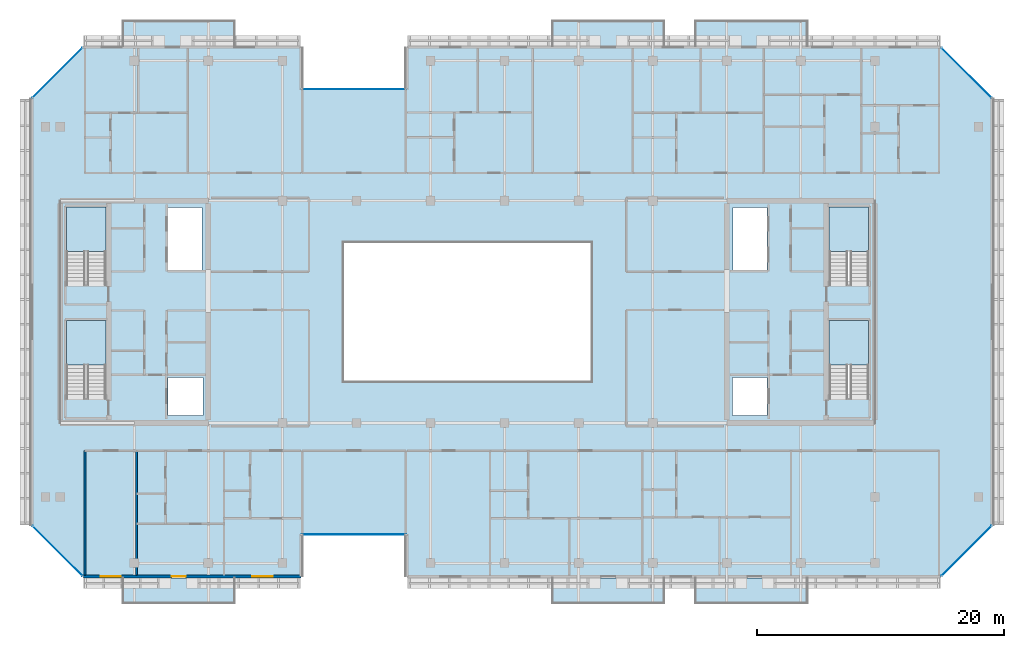
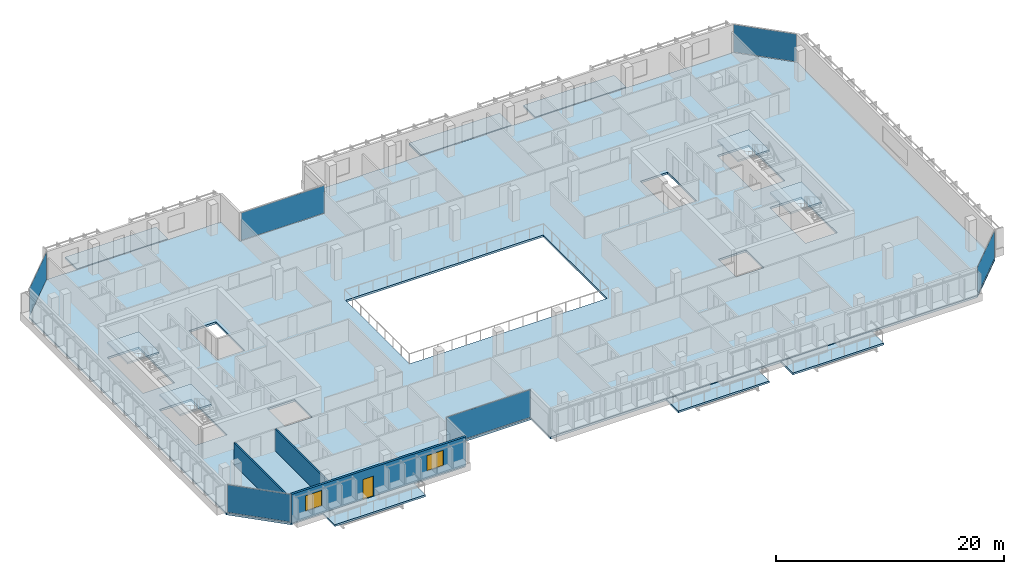
# One storey, part 13 of 25: 11 slabs, 6 plates, 3 walls, 2 windows, 1 door, 3 openings, 10 elements without a shape of their own.
"""IFC4 building model written with IfcOpenShell, lengths in metres."""

from ifc_helpers import new_model, si_unit, direction, frame, frame_2d, origin, origin_2d, place, context, subcontext, project, spatial, polyline, rectangle, outline, extrude, material, layer, layer_set, type_object, element, fill, aggregate, save


model = new_model("IFC4")

# Units and contexts
model_context = context("Model", 3, precision=1e-05, world=origin(), true_north=direction((0.0, 1.0)))
body_context = subcontext(model_context, "Body", "Model", "MODEL_VIEW")
ifc_project = project(units=[si_unit("LENGTHUNIT", "METRE"), si_unit("AREAUNIT", "SQUARE_METRE"), si_unit("VOLUMEUNIT", "CUBIC_METRE"), si_unit("PLANEANGLEUNIT", "RADIAN"), si_unit("MASSUNIT", "GRAM", prefix="KILO")], contexts=[model_context])

# Site, building, storey
site_placement = place(None, origin())
site = spatial("IfcSite", under=ifc_project, at=site_placement, CompositionType="ELEMENT")
building_placement = place(site_placement, origin())
building = spatial("IfcBuilding", under=site, at=building_placement, Name="Tanjung Sevakor Pilgrim Tower", CompositionType="ELEMENT")
storey_placement = place(building_placement, frame((0.0, 0.0, 204.929931640625)))
storey = spatial("IfcBuildingStorey", under=building, at=storey_placement, Name="L57", CompositionType="ELEMENT", Elevation=204.929931640625)

# Slabs
ifc_material_1 = material(Name="Concrete C40/50", Category="concrete")
ifc_layer_1 = layer(ifc_material_1, 0.199951171875)
ifc_layer_set_1 = layer_set([ifc_layer_1], Name="SL-BAL-200")
slab_type_1 = type_object("IfcSlabType", Name="SL-BAL-200", PredefinedType="FLOOR", material=ifc_layer_set_1)
slab_1_placement = place(storey_placement, frame((0.0, 0.0, -0.199951171875)))
element("IfcSlab", 1, at=slab_1_placement, inside=storey, type_object=slab_type_1, Name="L57 Planted Loggia Balcony MAIN-S1", PredefinedType="FLOOR", context=body_context, shape_type="SweptSolid", body=[
    extrude(outline(polyline([(29.0, 9.949951171875), (38.199951171875, 9.949951171875), (38.199951171875, 12.050048828125), (29.0, 12.050048828125), (29.0, 9.949951171875)])), origin(), (0.0, 0.0, 1.0), 0.199951171875),
])
slab_2_placement = place(storey_placement, frame((0.0, 0.0, -0.199951171875)))
element("IfcSlab", 2, at=slab_2_placement, inside=storey, type_object=slab_type_1, Name="L57 Planted Loggia Balcony MAIN-N1", PredefinedType="FLOOR", context=body_context, shape_type="SweptSolid", body=[
    extrude(outline(polyline([(29.0, 55.14990234375), (38.199951171875, 55.14990234375), (38.199951171875, 57.25), (29.0, 57.25), (29.0, 55.14990234375)])), origin(), (0.0, 0.0, 1.0), 0.199951171875),
])
slab_3_placement = place(storey_placement, frame((0.0, 0.0, -0.199951171875)))
element("IfcSlab", 3, at=slab_3_placement, inside=storey, type_object=slab_type_1, Name="L57 Planted Loggia Balcony MAIN-S2", PredefinedType="FLOOR", context=body_context, shape_type="SweptSolid", body=[
    extrude(outline(polyline([(63.800048828125, 9.949951171875), (73.0, 9.949951171875), (73.0, 12.050048828125), (63.800048828125, 12.050048828125), (63.800048828125, 9.949951171875)])), origin(), (0.0, 0.0, 1.0), 0.199951171875),
])
slab_4_placement = place(storey_placement, frame((0.0, 0.0, -0.199951171875)))
element("IfcSlab", 4, at=slab_4_placement, inside=storey, type_object=slab_type_1, Name="L57 Planted Loggia Balcony MAIN-N2", PredefinedType="FLOOR", context=body_context, shape_type="SweptSolid", body=[
    extrude(outline(polyline([(63.800048828125, 55.14990234375), (73.0, 55.14990234375), (73.0, 57.25), (63.800048828125, 57.25), (63.800048828125, 55.14990234375)])), origin(), (0.0, 0.0, 1.0), 0.199951171875),
])
slab_5_placement = place(storey_placement, frame((0.0, 0.0, -0.199951171875)))
element("IfcSlab", 5, at=slab_5_placement, inside=storey, type_object=slab_type_1, Name="L57 Planted Loggia Balcony MAIN-S3", PredefinedType="FLOOR", context=body_context, shape_type="SweptSolid", body=[
    extrude(outline(polyline([(75.39990234375, 9.949951171875), (84.60009765625, 9.949951171875), (84.60009765625, 12.050048828125), (75.39990234375, 12.050048828125), (75.39990234375, 9.949951171875)])), origin(), (0.0, 0.0, 1.0), 0.199951171875),
])
slab_6_placement = place(storey_placement, frame((0.0, 0.0, -0.199951171875)))
element("IfcSlab", 6, at=slab_6_placement, inside=storey, type_object=slab_type_1, Name="L57 Planted Loggia Balcony MAIN-N3", PredefinedType="FLOOR", context=body_context, shape_type="SweptSolid", body=[
    extrude(outline(polyline([(75.39990234375, 55.14990234375), (84.60009765625, 55.14990234375), (84.60009765625, 57.25), (75.39990234375, 57.25), (75.39990234375, 55.14990234375)])), origin(), (0.0, 0.0, 1.0), 0.199951171875),
])

# Stair, slab
ifc_material_2 = material(Name="Concrete C40/50", Category="concrete")
stair_type = type_object("IfcStairType", Name="STAIR-ST-CR150", PredefinedType="HALF_TURN_STAIR", material=ifc_material_2)
stair_1_placement = place(storey_placement, origin())
stair_1 = element("IfcStair", 7, at=stair_1_placement, inside=storey, type_object=stair_type, Name="L57 West Core Exit Stair 1", PredefinedType="HALF_TURN_STAIR")
ifc_material_3 = material(Name="Concrete C40/50", Category="concrete")
ifc_layer_2 = layer(ifc_material_3, 0.199951171875)
ifc_layer_set_2 = layer_set([ifc_layer_2], Name="SL-LAND-200")
slab_type_2 = type_object("IfcSlabType", Name="SL-LAND-200", PredefinedType="LANDING", material=ifc_layer_set_2)
slab_7_placement = place(storey_placement, frame((0.0, 0.0, 1.449951171875)))
slab_7 = element("IfcSlab", 8, at=slab_7_placement, type_object=slab_type_2, Name="TS-W1 landing 1", PredefinedType="LANDING", context=body_context, shape_type="SweptSolid", body=[
    extrude(outline(polyline([(27.699951171875, 29.300048828125), (27.699951171875, 32.89990234375), (24.5, 32.89990234375), (24.5, 29.300048828125), (27.699951171875, 29.300048828125)])), origin(), (0.0, 0.0, 1.0), 0.2001953125),
])
aggregate(stair_1, [slab_7])

stair_2_placement = place(storey_placement, origin())
stair_2 = element("IfcStair", 9, at=stair_2_placement, inside=storey, type_object=stair_type, Name="L57 West Core Exit Stair 2", PredefinedType="HALF_TURN_STAIR")
slab_8_placement = place(storey_placement, frame((0.0, 0.0, 1.449951171875)))
slab_8 = element("IfcSlab", 10, at=slab_8_placement, type_object=slab_type_2, Name="TS-W2 landing 1", PredefinedType="LANDING", context=body_context, shape_type="SweptSolid", body=[
    extrude(outline(polyline([(27.699951171875, 38.5), (27.699951171875, 42.10009765625), (24.5, 42.10009765625), (24.5, 38.5), (27.699951171875, 38.5)])), origin(), (0.0, 0.0, 1.0), 0.2001953125),
])
aggregate(stair_2, [slab_8])

stair_3_placement = place(storey_placement, origin())
stair_3 = element("IfcStair", 11, at=stair_3_placement, inside=storey, type_object=stair_type, Name="L57 East Core Exit Stair 1", PredefinedType="HALF_TURN_STAIR")
slab_9_placement = place(storey_placement, frame((0.0, 0.0, 1.449951171875)))
slab_9 = element("IfcSlab", 12, at=slab_9_placement, type_object=slab_type_2, Name="TS-E1 landing 1", PredefinedType="LANDING", context=body_context, shape_type="SweptSolid", body=[
    extrude(outline(polyline([(89.5, 29.300048828125), (89.5, 32.89990234375), (86.300048828125, 32.89990234375), (86.300048828125, 29.300048828125), (89.5, 29.300048828125)])), origin(), (0.0, 0.0, 1.0), 0.2001953125),
])
aggregate(stair_3, [slab_9])

stair_4_placement = place(storey_placement, origin())
stair_4 = element("IfcStair", 13, at=stair_4_placement, inside=storey, type_object=stair_type, Name="L57 East Core Exit Stair 2", PredefinedType="HALF_TURN_STAIR")
slab_10_placement = place(storey_placement, frame((0.0, 0.0, 1.449951171875)))
slab_10 = element("IfcSlab", 14, at=slab_10_placement, type_object=slab_type_2, Name="TS-E2 landing 1", PredefinedType="LANDING", context=body_context, shape_type="SweptSolid", body=[
    extrude(outline(polyline([(89.5, 38.5), (89.5, 42.10009765625), (86.300048828125, 42.10009765625), (86.300048828125, 38.5), (89.5, 38.5)])), origin(), (0.0, 0.0, 1.0), 0.2001953125),
])
aggregate(stair_4, [slab_10])

# Slab
ifc_material_4 = material(Name="Concrete C40/50", Category="concrete")
ifc_layer_3 = layer(ifc_material_4, 0.219970703125)
ifc_layer_set_3 = layer_set([ifc_layer_3], Name="SL-TWR-220")
slab_type_3 = type_object("IfcSlabType", Name="SL-TWR-220", PredefinedType="FLOOR", material=ifc_layer_set_3)
slab_11_placement = place(storey_placement, frame((0.0, 0.0, -0.219970703125)))
element("IfcSlab", 15, at=slab_11_placement, inside=storey, type_object=slab_type_3, Name="L57 Floor Slab MAIN", PredefinedType="FLOOR", context=body_context, shape_type="SweptSolid", body=[
    extrude(outline(polyline([(25.846923828125, 12.1298828125), (43.52001953125, 12.1298828125), (43.52001953125, 15.530029296875), (52.080078125, 15.530029296875), (52.080078125, 12.1298828125), (95.35302734375, 12.1298828125), (99.52001953125, 16.296875), (99.52001953125, 50.903076171875), (95.35302734375, 55.070068359375), (52.080078125, 55.070068359375), (52.080078125, 51.669921875), (43.52001953125, 51.669921875), (43.52001953125, 55.070068359375), (25.846923828125, 55.070068359375), (21.679931640625, 50.903076171875), (21.679931640625, 16.296875), (25.846923828125, 12.1298828125)]), holes=[polyline([(27.699951171875, 26.60009765625), (27.699951171875, 32.89990234375), (24.5, 32.89990234375), (24.5, 26.60009765625), (27.699951171875, 26.60009765625)]), polyline([(27.699951171875, 35.800048828125), (27.699951171875, 42.10009765625), (24.5, 42.10009765625), (24.5, 35.800048828125), (27.699951171875, 35.800048828125)]), polyline([(89.5, 26.60009765625), (89.5, 32.89990234375), (86.300048828125, 32.89990234375), (86.300048828125, 26.60009765625), (89.5, 26.60009765625)]), polyline([(89.5, 35.800048828125), (89.5, 42.10009765625), (86.300048828125, 42.10009765625), (86.300048828125, 35.800048828125), (89.5, 35.800048828125)]), polyline([(32.75, 25.199951171875), (35.550048828125, 25.199951171875), (35.550048828125, 28.300048828125), (32.75, 28.300048828125), (32.75, 25.199951171875)]), polyline([(32.75, 37.0), (35.5, 37.0), (35.5, 42.050048828125), (32.75, 42.050048828125), (32.75, 37.0)]), polyline([(78.449951171875, 25.199951171875), (81.25, 25.199951171875), (81.25, 28.300048828125), (78.449951171875, 28.300048828125), (78.449951171875, 25.199951171875)]), polyline([(78.5, 37.0), (81.25, 37.0), (81.25, 42.050048828125), (78.5, 42.050048828125), (78.5, 37.0)]), polyline([(47.0, 28.0), (67.0, 28.0), (67.0, 39.199951171875), (47.0, 39.199951171875), (47.0, 28.0)])]), origin(), (0.0, 0.0, 1.0), 0.219970703125),
])

# Curtain wall, plate
ifc_material_5 = material(Name="Aluminium 6063-T6 and Low-E Glass", Category="aluminium")
ifc_layer_4 = layer(ifc_material_5, 0.179931640625)
ifc_layer_set_4 = layer_set([ifc_layer_4], Name="CW-SYS-CLEFT")
curtain_wall_type_1 = type_object("IfcCurtainWallType", Name="CW-SYS-CLEFT", PredefinedType="NOTDEFINED", material=ifc_layer_set_4)
curtain_wall_1_placement = place(storey_placement, origin())
curtain_wall_1 = element("IfcCurtainWall", 16, at=curtain_wall_1_placement, inside=storey, type_object=curtain_wall_type_1, Name="L57 Curtain Wall CW-CLF-L57-2", PredefinedType="NOTDEFINED")
ifc_material_6 = material(Name="Laminated Low-E Double Glazing", Category="glass")
ifc_layer_5 = layer(ifc_material_6, 0.028076171875)
ifc_layer_set_5 = layer_set([ifc_layer_5], Name="TYPE-CWP-GLZ1")
plate_type = type_object("IfcPlateType", Name="TYPE-CWP-GLZ1", PredefinedType="CURTAIN_PANEL", material=ifc_layer_set_5)
plate_1_placement = place(storey_placement, frame((47.800048828125, 15.56005859375, 0.06494140625), z_axis=(0.0, 0.0, 1.0), x_axis=(1.0, 0.0, 0.0)))
plate_1 = element("IfcPlate", 17, at=plate_1_placement, type_object=plate_type, Name="CW-CLF panel 1.1", PredefinedType="CURTAIN_PANEL", context=body_context, shape_type="SweptSolid", body=[
    extrude(rectangle(XDim=8.469970703125, YDim=0.028076171875, at=origin_2d()), origin(), (0.0, 0.0, 1.0), 2.949951171875),
])
aggregate(curtain_wall_1, [plate_1])

ifc_material_7 = material(Name="Aluminium 6063-T6 and Low-E Glass", Category="aluminium")
ifc_layer_6 = layer(ifc_material_7, 0.179931640625)
ifc_layer_set_6 = layer_set([ifc_layer_6], Name="CW-SYS-CHAM")
curtain_wall_type_2 = type_object("IfcCurtainWallType", Name="CW-SYS-CHAM", PredefinedType="NOTDEFINED", material=ifc_layer_set_6)
curtain_wall_2_placement = place(storey_placement, origin())
curtain_wall_2 = element("IfcCurtainWall", 18, at=curtain_wall_2_placement, inside=storey, type_object=curtain_wall_type_2, Name="L57 Curtain Wall CW-CHM-L57-MAIN-5", PredefinedType="NOTDEFINED")
plate_2_placement = place(storey_placement, frame((97.422119140625, 14.227783203125, 0.06494140625), z_axis=(0.0, 0.0, 1.0), x_axis=(0.707106781187, 0.707106781187, 0.0)))
plate_2 = element("IfcPlate", 19, at=plate_2_placement, type_object=plate_type, Name="CW-CHM panel 1.1", PredefinedType="CURTAIN_PANEL", context=body_context, shape_type="SweptSolid", body=[
    extrude(rectangle(XDim=5.718505859375, YDim=0.028076171875, at=origin_2d()), origin(), (0.0, 0.0, 1.0), 2.949951171875),
])
aggregate(curtain_wall_2, [plate_2])

curtain_wall_3_placement = place(storey_placement, origin())
curtain_wall_3 = element("IfcCurtainWall", 20, at=curtain_wall_3_placement, inside=storey, type_object=curtain_wall_type_2, Name="L57 Curtain Wall CW-CHM-L57-MAIN-7", PredefinedType="NOTDEFINED")
plate_3_placement = place(storey_placement, frame((97.422119140625, 52.97216796875, 0.06494140625), z_axis=(0.0, 0.0, 1.0), x_axis=(-0.707106781187, 0.707106781187, 0.0)))
plate_3 = element("IfcPlate", 21, at=plate_3_placement, type_object=plate_type, Name="CW-CHM panel 1.1", PredefinedType="CURTAIN_PANEL", context=body_context, shape_type="SweptSolid", body=[
    extrude(rectangle(XDim=5.718505859375, YDim=0.028076171875, at=origin_2d()), origin(), (0.0, 0.0, 1.0), 2.949951171875),
])
aggregate(curtain_wall_3, [plate_3])

curtain_wall_4_placement = place(storey_placement, origin())
curtain_wall_4 = element("IfcCurtainWall", 22, at=curtain_wall_4_placement, inside=storey, type_object=curtain_wall_type_1, Name="L57 Curtain Wall CW-CLF-L57-10", PredefinedType="NOTDEFINED")
plate_4_placement = place(storey_placement, frame((47.800048828125, 51.639892578125, 0.06494140625), z_axis=(0.0, 0.0, 1.0), x_axis=(-1.0, 0.0, 0.0)))
plate_4 = element("IfcPlate", 23, at=plate_4_placement, type_object=plate_type, Name="CW-CLF panel 1.1", PredefinedType="CURTAIN_PANEL", context=body_context, shape_type="SweptSolid", body=[
    extrude(rectangle(XDim=8.469970703125, YDim=0.028076171875, at=origin_2d()), origin(), (0.0, 0.0, 1.0), 2.949951171875),
])
aggregate(curtain_wall_4, [plate_4])

curtain_wall_5_placement = place(storey_placement, origin())
curtain_wall_5 = element("IfcCurtainWall", 24, at=curtain_wall_5_placement, inside=storey, type_object=curtain_wall_type_2, Name="L57 Curtain Wall CW-CHM-L57-MAIN-13", PredefinedType="NOTDEFINED")
plate_5_placement = place(storey_placement, frame((23.77783203125, 52.97216796875, 0.06494140625), z_axis=(0.0, 0.0, 1.0), x_axis=(-0.707106781187, -0.707106781187, 0.0)))
plate_5 = element("IfcPlate", 25, at=plate_5_placement, type_object=plate_type, Name="CW-CHM panel 1.1", PredefinedType="CURTAIN_PANEL", context=body_context, shape_type="SweptSolid", body=[
    extrude(rectangle(XDim=5.718505859375, YDim=0.028076171875, at=origin_2d()), origin(), (0.0, 0.0, 1.0), 2.949951171875),
])
aggregate(curtain_wall_5, [plate_5])

curtain_wall_6_placement = place(storey_placement, origin())
curtain_wall_6 = element("IfcCurtainWall", 26, at=curtain_wall_6_placement, inside=storey, type_object=curtain_wall_type_2, Name="L57 Curtain Wall CW-CHM-L57-MAIN-15", PredefinedType="NOTDEFINED")
plate_6_placement = place(storey_placement, frame((23.77783203125, 14.227783203125, 0.06494140625), z_axis=(0.0, 0.0, 1.0), x_axis=(0.707106781187, -0.707106781187, 0.0)))
plate_6 = element("IfcPlate", 27, at=plate_6_placement, type_object=plate_type, Name="CW-CHM panel 1.1", PredefinedType="CURTAIN_PANEL", context=body_context, shape_type="SweptSolid", body=[
    extrude(rectangle(XDim=5.718505859375, YDim=0.028076171875, at=origin_2d()), origin(), (0.0, 0.0, 1.0), 2.949951171875),
])
aggregate(curtain_wall_6, [plate_6])

# Walls
ifc_material_8 = material(Name="Concrete C40/50", Category="concrete")
ifc_layer_7 = layer(ifc_material_8, 0.14990234375)
ifc_layer_set_7 = layer_set([ifc_layer_7], Name="WT-COMP-150")
wall_type_1 = type_object("IfcWallType", Name="WT-COMP-150", PredefinedType="SOLIDWALL", material=ifc_layer_set_7)
for number, where, z_axis, x_axis, name in (
    (28, (26.0, 12.27001953125, 0.0), (0.0, 0.0, 1.0), (0.0, 1.0, 0.0), "L57 Partition IW-L57-045"),
    (29, (30.184326171875, 12.27001953125, 0.0), (0.0, 0.0, 1.0), (0.0, 1.0, 0.0), "L57 Partition IW-L57-046"),
):
    element("IfcWall", number, at=place(storey_placement, frame(where, z_axis=z_axis, x_axis=x_axis)), inside=storey, type_object=wall_type_1, Name=name, PredefinedType="SOLIDWALL", context=body_context, shape_type="SweptSolid", body=[
        extrude(rectangle(XDim=10.080078125, YDim=0.14990234375, at=frame_2d((5.0400390625, 0.0))), origin(), (0.0, 0.0, 1.0), 2.35009765625),
    ])

# Wall, openings, door, windows
ifc_material_9 = material(Name="Precast concrete C45/55", Category="concrete")
ifc_layer_8 = layer(ifc_material_9, 0.219970703125)
ifc_layer_set_8 = layer_set([ifc_layer_8], Name="WT-EW-STN4")
wall_type_2 = type_object("IfcWallType", Name="WT-EW-STN4", PredefinedType="SOLIDWALL", material=ifc_layer_set_8)
wall_placement = place(storey_placement, frame((25.845703125, 12.159912109375, 0.0), z_axis=(0.0, 0.0, 1.0), x_axis=(1.0, 0.0, 0.0)))
wall = element("IfcWall", 30, at=wall_placement, inside=storey, type_object=wall_type_2, Name="L57 MAIN Exterior Wall 1", PredefinedType="SOLIDWALL", context=body_context, shape_type="SweptSolid", body=[
    extrude(rectangle(XDim=17.644287109375, YDim=0.219970703125, at=frame_2d((8.822265625, 0.0))), origin(), (0.0, 0.0, 1.0), 3.080078125),
])
opening_1_placement = place(wall_placement, frame((7.204345703125, 0.0, 0.0)))
opening_1 = element("IfcOpeningElement", 31, at=opening_1_placement, cuts=wall, Name="Opening ED-BAL-1100", PredefinedType="OPENING", context=body_context, shape_type="SweptSolid", body=[
    extrude(rectangle(XDim=1.10009765625, YDim=2.14990234375, at=frame_2d((0.550048828125, 1.074951171875))), frame((0.0, 0.119873046875, 0.0), z_axis=(0.0, -1.0, 0.0), x_axis=(1.0, 0.0, 0.0)), (0.0, 0.0, 1.0), 0.239990234375),
])
opening_2_placement = place(wall_placement, frame((1.421630859375, 0.0, 0.780029296875)))
opening_2 = element("IfcOpeningElement", 32, at=opening_2_placement, cuts=wall, Name="Opening WN-Z4-1660", PredefinedType="OPENING", context=body_context, shape_type="SweptSolid", body=[
    extrude(rectangle(XDim=1.64990234375, YDim=1.659912109375, at=frame_2d((0.824951171875, 0.830078125))), frame((0.0, 0.119873046875, 0.0), z_axis=(0.0, -1.0, 0.0), x_axis=(1.0, 0.0, 0.0)), (0.0, 0.0, 1.0), 0.239990234375),
])
opening_3_placement = place(wall_placement, frame((13.704833984375, 0.0, 0.780029296875)))
opening_3 = element("IfcOpeningElement", 33, at=opening_3_placement, cuts=wall, Name="Opening WN-Z4-1660", PredefinedType="OPENING", context=body_context, shape_type="SweptSolid", body=[
    extrude(rectangle(XDim=1.64990234375, YDim=1.659912109375, at=frame_2d((0.824951171875, 0.830078125))), frame((0.0, 0.119873046875, 0.0), z_axis=(0.0, -1.0, 0.0), x_axis=(1.0, 0.0, 0.0)), (0.0, 0.0, 1.0), 0.239990234375),
])
ifc_material_10 = material(Name="Anodised Aluminium and Laminated Glass", Category="aluminium")
door_type = type_object("IfcDoorType", Name="DTYP-ED-BAL-1100", OperationType="NOTDEFINED", PredefinedType="DOOR", material=ifc_material_10)
door_placement = place(opening_1_placement, frame((1.10009765625, 0.0, 0.0), z_axis=(0.0, 0.0, 1.0), x_axis=(-1.0, 0.0, 0.0)))
door = element("IfcDoor", 34, at=door_placement, inside=storey, type_object=door_type, Name="L57 Balcony Door MAIN-S1", OperationType="SINGLE_SWING_LEFT", OverallHeight=2.14990234375, OverallWidth=1.10009765625, PredefinedType="DOOR", context=body_context, shape_type="SweptSolid", body=[
    extrude(rectangle(XDim=1.10009765625, YDim=2.14990234375, at=frame_2d((0.550048828125, 1.074951171875))), frame((0.0, 0.02490234375, 0.0), z_axis=(0.0, -1.0, 0.0), x_axis=(1.0, 0.0, 0.0)), (0.0, 0.0, 1.0), 0.050048828125),
])
fill(opening_1, door)
ifc_material_11 = material(Name="Thermally Broken Aluminium and Low-E Glass", Category="aluminium")
window_type = type_object("IfcWindowType", Name="WTYP-WN-Z4-1660", PartitioningType="DOUBLE_PANEL_VERTICAL", PredefinedType="WINDOW", material=ifc_material_11)
window_1_placement = place(opening_2_placement, origin())
window_1 = element("IfcWindow", 35, at=window_1_placement, inside=storey, type_object=window_type, Name="L57 Facade Window 01", OverallHeight=1.659912109375, OverallWidth=1.64990234375, PartitioningType="SINGLE_PANEL", PredefinedType="WINDOW", context=body_context, shape_type="SweptSolid", body=[
    extrude(rectangle(XDim=1.64990234375, YDim=1.659912109375, at=frame_2d((0.824951171875, 0.830078125))), frame((0.0, 0.030029296875, 0.0), z_axis=(0.0, -1.0, 0.0), x_axis=(1.0, 0.0, 0.0)), (0.0, 0.0, 1.0), 0.06005859375),
])
fill(opening_2, window_1)
window_2_placement = place(opening_3_placement, origin())
window_2 = element("IfcWindow", 36, at=window_2_placement, inside=storey, type_object=window_type, Name="L57 Facade Window 02", OverallHeight=1.659912109375, OverallWidth=1.64990234375, PartitioningType="SINGLE_PANEL", PredefinedType="WINDOW", context=body_context, shape_type="SweptSolid", body=[
    extrude(rectangle(XDim=1.64990234375, YDim=1.659912109375, at=frame_2d((0.824951171875, 0.830078125))), frame((0.0, 0.030029296875, 0.0), z_axis=(0.0, -1.0, 0.0), x_axis=(1.0, 0.0, 0.0)), (0.0, 0.0, 1.0), 0.06005859375),
])
fill(opening_3, window_2)

save(model, "model.ifc")
